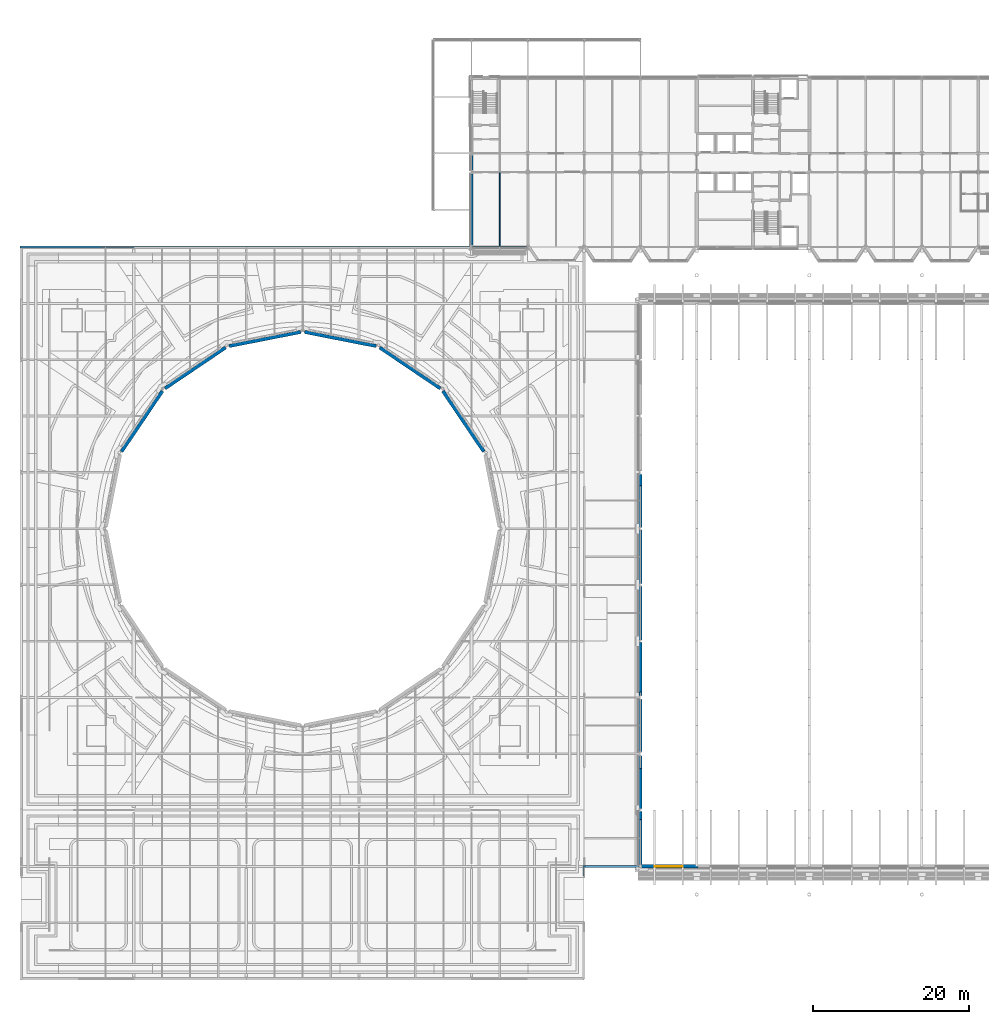
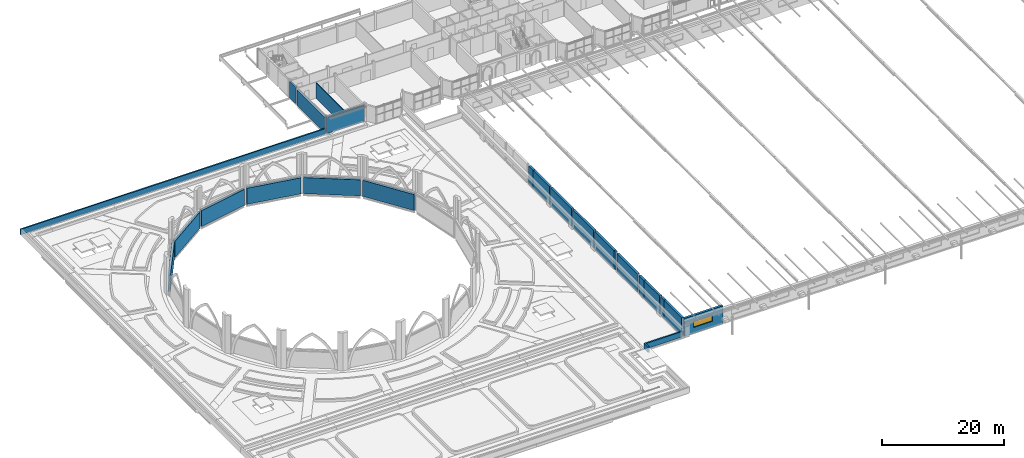
# One storey, part 39 of 110: 25 walls, 1 window, 1 opening.
"""IFC4 building model written with IfcOpenShell, lengths in metres."""

from ifc_helpers import new_model, si_unit, direction, frame, frame_2d, origin, place, context, subcontext, project, spatial, rectangle, extrude, material, layer, layer_set, type_object, element, fill, save


model = new_model("IFC4")

# Units and contexts
model_context = context("Model", 3, precision=1e-05, world=origin(), true_north=direction((0.0, 1.0)))
body_context = subcontext(model_context, "Body", "Model", "MODEL_VIEW")
ifc_project = project(units=[si_unit("LENGTHUNIT", "METRE"), si_unit("AREAUNIT", "SQUARE_METRE"), si_unit("VOLUMEUNIT", "CUBIC_METRE"), si_unit("PLANEANGLEUNIT", "RADIAN"), si_unit("MASSUNIT", "GRAM", prefix="KILO")], contexts=[model_context])

# Site, building, storey
site_placement = place(None, origin())
site = spatial("IfcSite", under=ifc_project, at=site_placement, CompositionType="ELEMENT")
building_placement = place(site_placement, origin())
building = spatial("IfcBuilding", under=site, at=building_placement, Name="Kupolbacken Congress Centre", CompositionType="ELEMENT")
storey_placement = place(building_placement, frame((0.0, 0.0, 18.0)))
storey = spatial("IfcBuildingStorey", under=building, at=storey_placement, Name="L05", CompositionType="ELEMENT", Elevation=18.0)

# Walls
ifc_material_1 = material(Name="Brick", Category="masonry")
ifc_layer_1 = layer(ifc_material_1, 0.10791015625)
ifc_material_2 = material(Name="Air cavity", Category="air")
ifc_layer_2 = layer(ifc_material_2, 0.050048828125, ventilated=True)
ifc_material_3 = material(Name="Mineral wool", Category="insulation")
ifc_layer_3 = layer(ifc_material_3, 0.1298828125)
ifc_material_4 = material(Name="Steel studs", Category="metal")
ifc_layer_4 = layer(ifc_material_4, 0.052001953125)
ifc_layer_set_1 = layer_set([ifc_layer_1, ifc_layer_2, ifc_layer_3, ifc_layer_4], Name="Brick / Mineral wool / Steel studs")
wall_type_1 = type_object("IfcWallType", Name="EW02 external cavity wall 340", PredefinedType="SOLIDWALL", material=ifc_layer_set_1)
wall_1_placement = place(storey_placement, frame((64.949951171875, 122.39990234375, 0.0), z_axis=(0.0, 0.0, 1.0), x_axis=(1.0, 0.0, 0.0)))
element("IfcWall", 1, at=wall_1_placement, inside=storey, type_object=wall_type_1, Name="E/T/S/L05/074", PredefinedType="SOLIDWALL", context=body_context, shape_type="SweptSolid", body=[
    extrude(rectangle(XDim=6.896484375, YDim=0.340087890625, at=frame_2d((3.4482421875, 0.0))), origin(), (0.0, 0.0, 1.0), 3.159912109375),
])
wall_2_placement = place(storey_placement, frame((64.800048828125, 134.175048828125, 0.0), z_axis=(0.0, 0.0, 1.0), x_axis=(0.0, -1.0, 0.0)))
element("IfcWall", 2, at=wall_2_placement, inside=storey, type_object=wall_type_1, Name="E/T/W/L05/078", PredefinedType="SOLIDWALL", context=body_context, shape_type="SweptSolid", body=[
    extrude(rectangle(XDim=1.949951171875, YDim=0.340087890625, at=frame_2d((0.97509765625, 0.0))), origin(), (0.0, 0.0, 1.0), 3.260009765625),
])
wall_3_placement = place(storey_placement, frame((64.800048828125, 131.77490234375, 0.0), z_axis=(0.0, 0.0, 1.0), x_axis=(0.0, -1.0, 0.0)))
element("IfcWall", 3, at=wall_3_placement, inside=storey, type_object=wall_type_1, Name="E/T/W/L05/079", PredefinedType="SOLIDWALL", context=body_context, shape_type="SweptSolid", body=[
    extrude(rectangle(XDim=9.14990234375, YDim=0.340087890625, at=frame_2d((4.574951171875, 0.0))), origin(), (0.0, 0.0, 1.0), 3.06005859375),
])

# Wall, opening, window
ifc_layer_5 = layer(ifc_material_1, 0.10791015625)
ifc_layer_6 = layer(ifc_material_2, 0.0400390625, ventilated=True)
ifc_layer_7 = layer(ifc_material_3, 0.152099609375)
ifc_material_5 = material(Name="Concrete block", Category="masonry")
ifc_layer_8 = layer(ifc_material_5, 0.1201171875)
ifc_layer_set_2 = layer_set([ifc_layer_5, ifc_layer_6, ifc_layer_7, ifc_layer_8], Name="Brick / Mineral wool / Concrete block")
wall_type_2 = type_object("IfcWallType", Name="EW04 external cavity wall 420", PredefinedType="SOLIDWALL", material=ifc_layer_set_2)
wall_4_placement = place(storey_placement, frame((86.550048828125, 43.199951171875, 0.0), z_axis=(0.0, 0.0, 1.0), x_axis=(1.0, 0.0, 0.0)))
wall_4 = element("IfcWall", 4, at=wall_4_placement, inside=storey, type_object=wall_type_2, Name="E/H/S/L05/468", PredefinedType="SOLIDWALL", context=body_context, shape_type="SweptSolid", body=[
    extrude(rectangle(XDim=7.195068359375, YDim=0.419921875, at=frame_2d((3.59765625, 0.0))), origin(), (0.0, 0.0, 1.0), 3.60009765625),
])
opening_placement = place(wall_4_placement, frame((1.64990234375, 0.0, 1.199951171875)))
opening = element("IfcOpeningElement", 5, at=opening_placement, cuts=wall_4, Name="Opening W12", PredefinedType="OPENING", context=body_context, shape_type="SweptSolid", body=[
    extrude(rectangle(XDim=3.60009765625, YDim=1.199951171875, at=frame_2d((1.800048828125, 0.60009765625))), frame((0.0, 0.219970703125, 0.0), z_axis=(0.0, -1.0, 0.0), x_axis=(1.0, 0.0, 0.0)), (0.0, 0.0, 1.0), 0.43994140625),
])
ifc_material_6 = material(Name="Aluminium frame with double or triple glazing", Category="aluminium")
window_type = type_object("IfcWindowType", Name="W12 window 3600x1200", PartitioningType="TRIPLE_PANEL_VERTICAL", PredefinedType="WINDOW", material=ifc_material_6)
window_placement = place(opening_placement, origin())
window = element("IfcWindow", 6, at=window_placement, inside=storey, type_object=window_type, Name="E/H/S/L05/468/W1", OverallHeight=1.199951171875, OverallWidth=3.60009765625, PartitioningType="SINGLE_PANEL", PredefinedType="WINDOW", context=body_context, shape_type="SweptSolid", body=[
    extrude(rectangle(XDim=3.60009765625, YDim=1.199951171875, at=frame_2d((1.800048828125, 0.60009765625))), frame((0.0, 0.030029296875, 0.0), z_axis=(0.0, -1.0, 0.0), x_axis=(1.0, 0.0, 0.0)), (0.0, 0.0, 1.0), 0.06005859375),
])
fill(opening, window)

# Walls
wall_5_placement = place(storey_placement, frame((86.39990234375, 93.35498046875, 0.0), z_axis=(0.0, 0.0, 1.0), x_axis=(0.0, -1.0, 0.0)))
element("IfcWall", 7, at=wall_5_placement, inside=storey, type_object=wall_type_2, Name="Shaft wall LR4 474", PredefinedType="SOLIDWALL", context=body_context, shape_type="SweptSolid", body=[
    extrude(rectangle(XDim=1.455078125, YDim=0.419921875, at=frame_2d((0.7275390625, 0.0))), origin(), (0.0, 0.0, 1.0), 3.60009765625),
])
wall_6_placement = place(storey_placement, frame((86.39990234375, 91.89990234375, 0.0), z_axis=(0.0, 0.0, 1.0), x_axis=(0.0, -1.0, 0.0)))
element("IfcWall", 8, at=wall_6_placement, inside=storey, type_object=wall_type_2, Name="E/H/W/L05/475", PredefinedType="SOLIDWALL", context=body_context, shape_type="SweptSolid", body=[
    extrude(rectangle(XDim=5.35498046875, YDim=0.419921875, at=frame_2d((2.677490234375, 0.0))), origin(), (0.0, 0.0, 1.0), 3.60009765625),
])
for number, where, z_axis, x_axis, name in (
    (9, (86.39990234375, 86.2548828125, 0.0), (0.0, 0.0, 1.0), (0.0, -1.0, 0.0), "E/H/W/L05/476"),
    (10, (86.39990234375, 79.054931640625, 0.0), (0.0, 0.0, 1.0), (0.0, -1.0, 0.0), "E/H/W/L05/477"),
):
    element("IfcWall", number, at=place(storey_placement, frame(where, z_axis=z_axis, x_axis=x_axis)), inside=storey, type_object=wall_type_2, Name=name, PredefinedType="SOLIDWALL", context=body_context, shape_type="SweptSolid", body=[
        extrude(rectangle(XDim=6.909912109375, YDim=0.419921875, at=frame_2d((3.455078125, 0.0))), origin(), (0.0, 0.0, 1.0), 3.60009765625),
    ])
wall_7_placement = place(storey_placement, frame((86.39990234375, 71.85498046875, 0.0), z_axis=(0.0, 0.0, 1.0), x_axis=(0.0, -1.0, 0.0)))
element("IfcWall", 11, at=wall_7_placement, inside=storey, type_object=wall_type_2, Name="Shaft wall LR3 478", PredefinedType="SOLIDWALL", context=body_context, shape_type="SweptSolid", body=[
    extrude(rectangle(XDim=6.35498046875, YDim=0.419921875, at=frame_2d((3.177490234375, 0.0))), origin(), (0.0, 0.0, 1.0), 3.60009765625),
])
wall_8_placement = place(storey_placement, frame((86.39990234375, 65.5, 0.0), z_axis=(0.0, 0.0, 1.0), x_axis=(0.0, -1.0, 0.0)))
element("IfcWall", 12, at=wall_8_placement, inside=storey, type_object=wall_type_2, Name="E/H/W/L05/479", PredefinedType="SOLIDWALL", context=body_context, shape_type="SweptSolid", body=[
    extrude(rectangle(XDim=0.455078125, YDim=0.419921875, at=frame_2d((0.2275390625, 0.0))), origin(), (0.0, 0.0, 1.0), 3.60009765625),
])
wall_9_placement = place(storey_placement, frame((86.39990234375, 64.554931640625, 0.0), z_axis=(0.0, 0.0, 1.0), x_axis=(0.0, -1.0, 0.0)))
element("IfcWall", 13, at=wall_9_placement, inside=storey, type_object=wall_type_2, Name="E/H/W/L05/480", PredefinedType="SOLIDWALL", context=body_context, shape_type="SweptSolid", body=[
    extrude(rectangle(XDim=6.7099609375, YDim=0.419921875, at=frame_2d((3.35498046875, 0.0))), origin(), (0.0, 0.0, 1.0), 3.60009765625),
])
wall_10_placement = place(storey_placement, frame((86.39990234375, 57.35498046875, 0.0), z_axis=(0.0, 0.0, 1.0), x_axis=(0.0, -1.0, 0.0)))
element("IfcWall", 14, at=wall_10_placement, inside=storey, type_object=wall_type_2, Name="E/H/W/L05/481", PredefinedType="SOLIDWALL", context=body_context, shape_type="SweptSolid", body=[
    extrude(rectangle(XDim=1.655029296875, YDim=0.419921875, at=frame_2d((0.82763671875, 0.0))), origin(), (0.0, 0.0, 1.0), 3.60009765625),
])
wall_11_placement = place(storey_placement, frame((86.39990234375, 55.699951171875, 0.0), z_axis=(0.0, 0.0, 1.0), x_axis=(0.0, -1.0, 0.0)))
element("IfcWall", 15, at=wall_11_placement, inside=storey, type_object=wall_type_2, Name="Shaft wall LR1 482", PredefinedType="SOLIDWALL", context=body_context, shape_type="SweptSolid", body=[
    extrude(rectangle(XDim=5.155029296875, YDim=0.419921875, at=frame_2d((2.57763671875, 0.0))), origin(), (0.0, 0.0, 1.0), 3.60009765625),
])
wall_12_placement = place(storey_placement, frame((86.39990234375, 50.2548828125, 0.0), z_axis=(0.0, 0.0, 1.0), x_axis=(0.0, -1.0, 0.0)))
element("IfcWall", 16, at=wall_12_placement, inside=storey, type_object=wall_type_2, Name="Shaft wall LR1 483", PredefinedType="SOLIDWALL", context=body_context, shape_type="SweptSolid", body=[
    extrude(rectangle(XDim=1.054931640625, YDim=0.419921875, at=frame_2d((0.52734375, 0.0))), origin(), (0.0, 0.0, 1.0), 3.60009765625),
])
wall_13_placement = place(storey_placement, frame((86.39990234375, 49.199951171875, 0.0), z_axis=(0.0, 0.0, 1.0), x_axis=(0.0, -1.0, 0.0)))
element("IfcWall", 17, at=wall_13_placement, inside=storey, type_object=wall_type_2, Name="E/H/W/L05/484", PredefinedType="SOLIDWALL", context=body_context, shape_type="SweptSolid", body=[
    extrude(rectangle(XDim=5.7900390625, YDim=0.419921875, at=frame_2d((2.89501953125, 0.0))), origin(), (0.0, 0.0, 1.0), 3.60009765625),
])
ifc_material_7 = material(Name="Limestone", Category="masonry")
ifc_layer_9 = layer(ifc_material_7, 0.1201171875)
ifc_layer_10 = layer(ifc_material_2, 0.0400390625, ventilated=True)
ifc_layer_11 = layer(ifc_material_3, 0.159912109375)
ifc_layer_12 = layer(ifc_material_5, 0.1201171875)
ifc_layer_set_3 = layer_set([ifc_layer_9, ifc_layer_10, ifc_layer_11, ifc_layer_12], Name="Limestone / Mineral wool / Concrete block")
wall_type_3 = type_object("IfcWallType", Name="EW05 external cavity wall 440", PredefinedType="SOLIDWALL", material=ifc_layer_set_3)
wall_14_placement = place(storey_placement, frame((66.360107421875, 96.25732421875, 0.0), z_axis=(0.0, 0.0, 1.0), x_axis=(-0.559388379961, 0.828905688462, 0.0)))
element("IfcWall", 18, at=wall_14_placement, inside=storey, type_object=wall_type_3, Name="Drum wall 09 L05", PredefinedType="SOLIDWALL", context=body_context, shape_type="SweptSolid", body=[
    extrude(rectangle(XDim=9.33203125, YDim=0.43994140625, at=frame_2d((4.666015625, 0.0))), origin(), (0.0, 0.0, 1.0), 3.2099609375),
])
wall_15_placement = place(storey_placement, frame((60.792724609375, 104.33984375, 0.0), z_axis=(0.0, 0.0, 1.0), x_axis=(-0.828913874577, 0.559376249525, 0.0)))
element("IfcWall", 19, at=wall_15_placement, inside=storey, type_object=wall_type_3, Name="Drum wall 10 L05", PredefinedType="SOLIDWALL", context=body_context, shape_type="SweptSolid", body=[
    extrude(rectangle(XDim=9.332275390625, YDim=0.43994140625, at=frame_2d((4.666015625, 0.0))), origin(), (0.0, 0.0, 1.0), 3.2099609375),
])
wall_16_placement = place(storey_placement, frame((52.604736328125, 109.748291015625, 0.0), z_axis=(0.0, 0.0, 1.0), x_axis=(-0.98116171968, 0.193188197971, 0.0)))
element("IfcWall", 20, at=wall_16_placement, inside=storey, type_object=wall_type_3, Name="Drum wall 11 L05", PredefinedType="SOLIDWALL", context=body_context, shape_type="SweptSolid", body=[
    extrude(rectangle(XDim=9.335205078125, YDim=0.43994140625, at=frame_2d((4.66748046875, 0.0))), origin(), (0.0, 0.0, 1.0), 3.2099609375),
])
wall_17_placement = place(storey_placement, frame((42.95458984375, 111.5517578125, 0.0), z_axis=(0.0, 0.0, 1.0), x_axis=(-0.981160743588, -0.193193155264, 0.0)))
element("IfcWall", 21, at=wall_17_placement, inside=storey, type_object=wall_type_3, Name="Drum wall 12 L05", PredefinedType="SOLIDWALL", context=body_context, shape_type="SweptSolid", body=[
    extrude(rectangle(XDim=9.3349609375, YDim=0.43994140625, at=frame_2d((4.66748046875, 0.0))), origin(), (0.0, 0.0, 1.0), 3.2099609375),
])
wall_18_placement = place(storey_placement, frame((33.3427734375, 109.56005859375, 0.0), z_axis=(0.0, 0.0, 1.0), x_axis=(-0.828913874577, -0.559376249525, 0.0)))
element("IfcWall", 22, at=wall_18_placement, inside=storey, type_object=wall_type_3, Name="Drum wall 13 L05", PredefinedType="SOLIDWALL", context=body_context, shape_type="SweptSolid", body=[
    extrude(rectangle(XDim=9.332275390625, YDim=0.43994140625, at=frame_2d((4.666015625, 0.0))), origin(), (0.0, 0.0, 1.0), 3.2099609375),
])
wall_19_placement = place(storey_placement, frame((25.26025390625, 103.99267578125, 0.0), z_axis=(0.0, 0.0, 1.0), x_axis=(-0.559406354834, -0.828893557806, 0.0)))
element("IfcWall", 23, at=wall_19_placement, inside=storey, type_object=wall_type_3, Name="Drum wall 14 L05", PredefinedType="SOLIDWALL", context=body_context, shape_type="SweptSolid", body=[
    extrude(rectangle(XDim=9.33203125, YDim=0.43994140625, at=frame_2d((4.666015625, 0.0))), origin(), (0.0, 0.0, 1.0), 3.2099609375),
])
ifc_material_8 = material(Name="Gypsum board", Category="drywall")
ifc_layer_13 = layer(ifc_material_8, 0.135009765625)
ifc_layer_set_4 = layer_set([ifc_layer_13], Name="Gypsum board")
wall_type_4 = type_object("IfcWallType", Name="P06 compartment wall 135", PredefinedType="PARTITIONING", material=ifc_layer_set_4)
wall_20_placement = place(storey_placement, frame((68.39990234375, 122.570068359375, 0.0), z_axis=(0.0, 0.0, 1.0), x_axis=(0.0, 1.0, 0.0)))
element("IfcWall", 24, at=wall_20_placement, inside=storey, type_object=wall_type_4, Name="T/wall/L05/y/6840/12240", PredefinedType="PARTITIONING", context=body_context, shape_type="SweptSolid", body=[
    extrude(rectangle(XDim=9.362548828125, YDim=0.135009765625, at=frame_2d((4.68115234375, 0.0))), origin(), (0.0, 0.0, 1.0), 3.06005859375),
])
ifc_layer_14 = layer(ifc_material_1, 0.10791015625)
ifc_layer_15 = layer(ifc_material_5, 0.152099609375)
ifc_layer_set_5 = layer_set([ifc_layer_14, ifc_layer_15], Name="Brick / Concrete block")
wall_type_5 = type_object("IfcWallType", Name="PW2 parapet 260", PredefinedType="PARAPET", material=ifc_layer_set_5)
wall_21_placement = place(storey_placement, frame((7.070068359375, 122.39990234375, 0.0), z_axis=(0.0, 0.0, 1.0), x_axis=(1.0, 0.0, 0.0)))
element("IfcWall", 25, at=wall_21_placement, inside=storey, type_object=wall_type_5, Name="E/roof/ring/02/03", PredefinedType="PARAPET", context=body_context, shape_type="SweptSolid", body=[
    extrude(rectangle(XDim=57.530029296875, YDim=0.260009765625, at=frame_2d((28.76513671875, 0.0))), origin(), (0.0, 0.0, 1.0), 1.10009765625),
])
wall_22_placement = place(storey_placement, frame((86.199951171875, 43.199951171875, 0.0), z_axis=(0.0, 0.0, 1.0), x_axis=(-1.0, 0.0, 0.0)))
element("IfcWall", 26, at=wall_22_placement, inside=storey, type_object=wall_type_5, Name="E/roof/ring/04/01", PredefinedType="PARAPET", context=body_context, shape_type="SweptSolid", body=[
    extrude(rectangle(XDim=7.1298828125, YDim=0.260009765625, at=frame_2d((3.56494140625, 0.0))), origin(), (0.0, 0.0, 1.0), 1.10009765625),
])
wall_23_placement = place(storey_placement, frame((79.199951171875, 43.330078125, 0.0), z_axis=(0.0, 0.0, 1.0), x_axis=(0.0, -1.0, 0.0)))
element("IfcWall", 27, at=wall_23_placement, inside=storey, type_object=wall_type_5, Name="E/roof/ring/04/02", PredefinedType="PARAPET", context=body_context, shape_type="SweptSolid", body=[
    extrude(rectangle(XDim=1.360107421875, YDim=0.260009765625, at=frame_2d((0.68017578125, 0.0))), origin(), (0.0, 0.0, 1.0), 1.10009765625),
])

save(model, "model.ifc")
